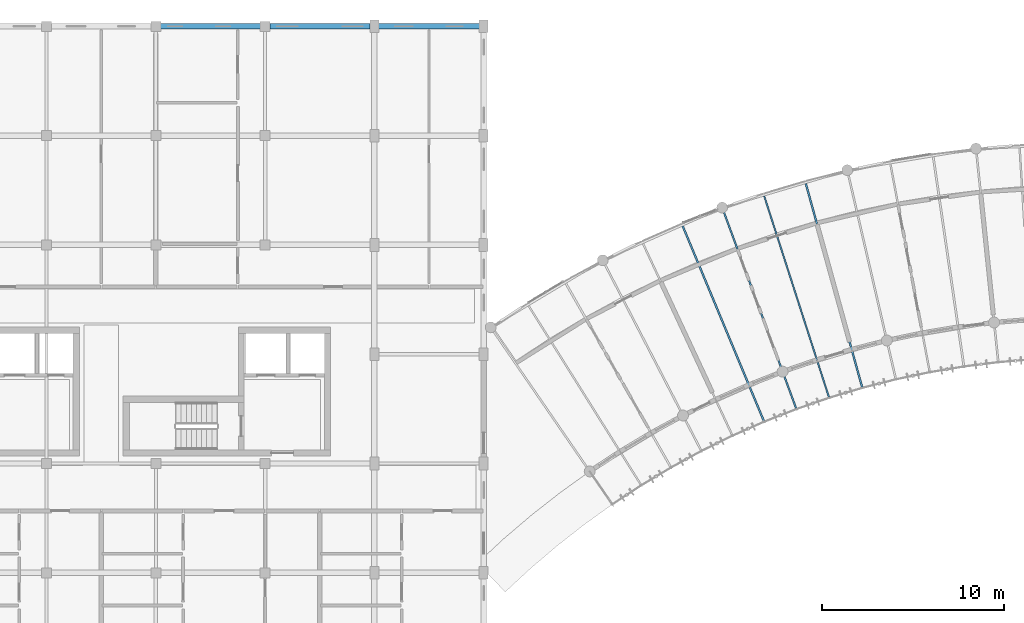
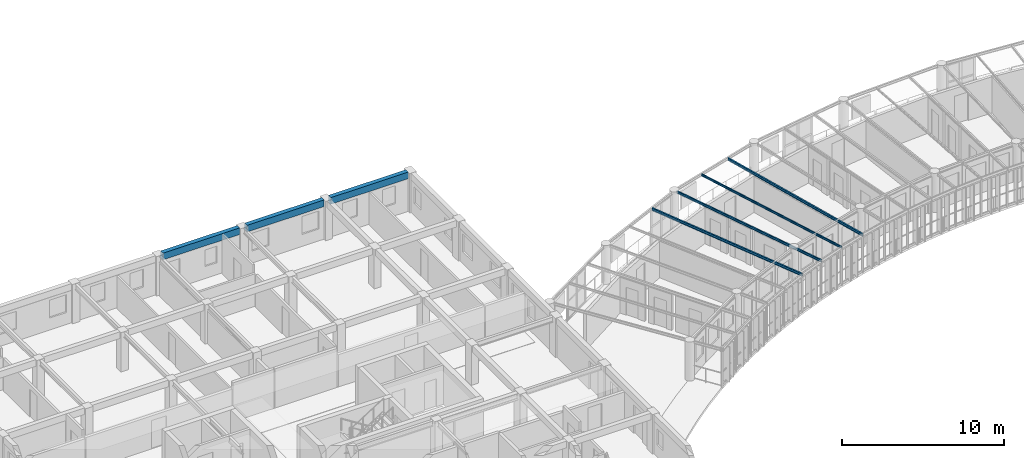
# One storey, part 33 of 101: 7 beams.
"""IFC4 building model written with IfcOpenShell, lengths in metres."""

from ifc_helpers import new_model, si_unit, direction, frame, origin, origin_2d, place, context, subcontext, project, spatial, rectangle, i_section, extrude, material, material_profile, profile_set, type_object, element, save


model = new_model("IFC4")

# Units and contexts
model_context = context("Model", 3, precision=1e-05, world=origin(), true_north=direction((0.0, 1.0)))
body_context = subcontext(model_context, "Body", "Model", "MODEL_VIEW")
ifc_project = project(units=[si_unit("LENGTHUNIT", "METRE"), si_unit("AREAUNIT", "SQUARE_METRE"), si_unit("VOLUMEUNIT", "CUBIC_METRE"), si_unit("PLANEANGLEUNIT", "RADIAN"), si_unit("MASSUNIT", "GRAM", prefix="KILO"), si_unit("POWERUNIT", "WATT"), si_unit("THERMODYNAMICTEMPERATUREUNIT", "KELVIN")], contexts=[model_context])

# Site, building, storey
site_placement = place(None, origin())
site = spatial("IfcSite", under=ifc_project, at=site_placement, CompositionType="ELEMENT")
building_placement = place(site_placement, origin())
building = spatial("IfcBuilding", under=site, at=building_placement, Name="Ruvembo Vaulted Housing Court", CompositionType="ELEMENT")
storey_placement = place(building_placement, frame((0.0, 0.0, 17.300048828125)))
storey = spatial("IfcBuildingStorey", under=building, at=storey_placement, Name="L05", CompositionType="ELEMENT", Elevation=17.300048828125)

# Beams
ifc_material_1 = material(Name="Steel S355J2", Category="steel")
ifc_material_profile_1 = material_profile(ifc_material_1, i_section(OverallWidth=0.08203125, OverallDepth=0.159912109375, WebThickness=0.0048828125, FlangeThickness=0.00732421875, FilletRadius=0.009033203125, at=origin_2d()), Name="IPE 160")
ifc_profile_set_1 = profile_set([ifc_material_profile_1], Name="Steel S355J2")
beam_type_1 = type_object("IfcBeamType", Name="BM-ST-IPE160", PredefinedType="JOIST", material=ifc_profile_set_1)
beam_1_placement = place(storey_placement, frame((99.4013671875, 104.68896484375, 2.85205078125), z_axis=(0.306337017889, -0.951923122669, 0.0), x_axis=(0.951923122669, 0.306337017889, 0.0)))
element("IfcBeam", 1, at=beam_1_placement, inside=storey, type_object=beam_type_1, Name="Scoop SC3 L05 Radial Steel Joist 7", PredefinedType="JOIST", context=body_context, shape_type="SweptSolid", body=[
    extrude(i_section(OverallWidth=0.08203125, OverallDepth=0.159912109375, WebThickness=0.0048828125, FlangeThickness=0.00732421875, FilletRadius=0.009033203125, at=origin_2d()), origin(), (0.0, 0.0, 1.0), 11.690673828125),
])
ifc_material_profile_2 = material_profile(ifc_material_1, i_section(OverallWidth=0.091064453125, OverallDepth=0.179931640625, WebThickness=0.00537109375, FlangeThickness=0.008056640625, FilletRadius=0.009033203125, at=origin_2d()), Name="IPE 180")
ifc_profile_set_2 = profile_set([ifc_material_profile_2], Name="Steel S355J2")
beam_type_2 = type_object("IfcBeamType", Name="BM-ST-IPE180", PredefinedType="JOIST", material=ifc_profile_set_2)
beam_2_placement = place(storey_placement, frame((97.1611328125, 103.873291015625, 2.842041015625), z_axis=(0.345566482386, -0.93839427015, 0.0), x_axis=(0.93839427015, 0.345566482386, 0.0)))
element("IfcBeam", 2, at=beam_2_placement, inside=storey, type_object=beam_type_2, Name="Scoop SC3 L05 Radial Steel Joist 6", PredefinedType="JOIST", context=body_context, shape_type="SweptSolid", body=[
    extrude(i_section(OverallWidth=0.091064453125, OverallDepth=0.179931640625, WebThickness=0.00537109375, FlangeThickness=0.008056640625, FilletRadius=0.009033203125, at=origin_2d()), origin(), (0.0, 0.0, 1.0), 11.650146484375),
])
ifc_material_profile_3 = material_profile(ifc_material_1, i_section(OverallWidth=0.10009765625, OverallDepth=0.199951171875, WebThickness=0.005615234375, FlangeThickness=0.008544921875, FilletRadius=0.011962890625, at=origin_2d()), Name="IPE 200")
ifc_profile_set_3 = profile_set([ifc_material_profile_3], Name="Steel S355J2")
beam_type_3 = type_object("IfcBeamType", Name="BM-ST-IPE200", PredefinedType="BEAM", material=ifc_profile_set_3)
beam_3_placement = place(storey_placement, frame((94.927001953125, 103.041259765625, 2.83203125), z_axis=(0.384209051793, -0.92324612348, 0.0), x_axis=(0.92324612348, 0.384209051793, 0.0)))
element("IfcBeam", 3, at=beam_3_placement, inside=storey, type_object=beam_type_3, Name="Scoop SC3 L05 Radial Steel Joist 5", PredefinedType="BEAM", context=body_context, shape_type="SweptSolid", body=[
    extrude(i_section(OverallWidth=0.10009765625, OverallDepth=0.199951171875, WebThickness=0.005615234375, FlangeThickness=0.008544921875, FilletRadius=0.011962890625, at=origin_2d()), origin(), (0.0, 0.0, 1.0), 11.690673828125),
])
beam_4_placement = place(storey_placement, frame((101.68603515625, 105.3720703125, 2.83203125), z_axis=(0.266572021247, -0.963815001693, 0.0), x_axis=(0.963815001693, 0.266572021247, 0.0)))
element("IfcBeam", 4, at=beam_4_placement, inside=storey, type_object=beam_type_3, Name="Scoop SC3 L05 Radial Steel Joist 8", PredefinedType="BEAM", context=body_context, shape_type="SweptSolid", body=[
    extrude(i_section(OverallWidth=0.10009765625, OverallDepth=0.199951171875, WebThickness=0.005615234375, FlangeThickness=0.008544921875, FilletRadius=0.011962890625, at=origin_2d()), origin(), (0.0, 0.0, 1.0), 11.69091796875),
])
ifc_material_2 = material(Name="Concrete C35/45", Category="concrete")
ifc_material_profile_4 = material_profile(ifc_material_2, rectangle(XDim=0.300048828125, YDim=0.5, at=origin_2d()), Name="RC 300x500")
ifc_profile_set_4 = profile_set([ifc_material_profile_4], Name="Concrete C35/45")
beam_type_4 = type_object("IfcBeamType", Name="SP-RC-300x500", PredefinedType="SPANDREL", material=ifc_profile_set_4)
beam_5_placement = place(storey_placement, frame((66.260009765625, 114.0, 2.71484375), z_axis=(1.0, 0.0, 0.0), x_axis=(0.0, 1.0, 0.0)))
element("IfcBeam", 5, at=beam_5_placement, inside=storey, type_object=beam_type_4, Name="L05 Grid Beam X #2418", PredefinedType="SPANDREL", context=body_context, shape_type="SweptSolid", body=[
    extrude(rectangle(XDim=0.300048828125, YDim=0.5, at=origin_2d()), origin(), (0.0, 0.0, 1.0), 5.47998046875),
])
beam_6_placement = place(storey_placement, frame((72.260009765625, 114.0, 2.71484375), z_axis=(1.0, 0.0, 0.0), x_axis=(0.0, 1.0, 0.0)))
element("IfcBeam", 6, at=beam_6_placement, inside=storey, type_object=beam_type_4, Name="L05 Grid Beam X #2419", PredefinedType="SPANDREL", context=body_context, shape_type="SweptSolid", body=[
    extrude(rectangle(XDim=0.300048828125, YDim=0.5, at=origin_2d()), origin(), (0.0, 0.0, 1.0), 5.5048828125),
])
beam_7_placement = place(storey_placement, frame((78.235107421875, 114.0, 2.71484375), z_axis=(1.0, 0.0, 0.0), x_axis=(0.0, 1.0, 0.0)))
element("IfcBeam", 7, at=beam_7_placement, inside=storey, type_object=beam_type_4, Name="L05 Grid Beam X #2420", PredefinedType="SPANDREL", context=body_context, shape_type="SweptSolid", body=[
    extrude(rectangle(XDim=0.300048828125, YDim=0.5, at=origin_2d()), origin(), (0.0, 0.0, 1.0), 5.52978515625),
])

save(model, "model.ifc")
